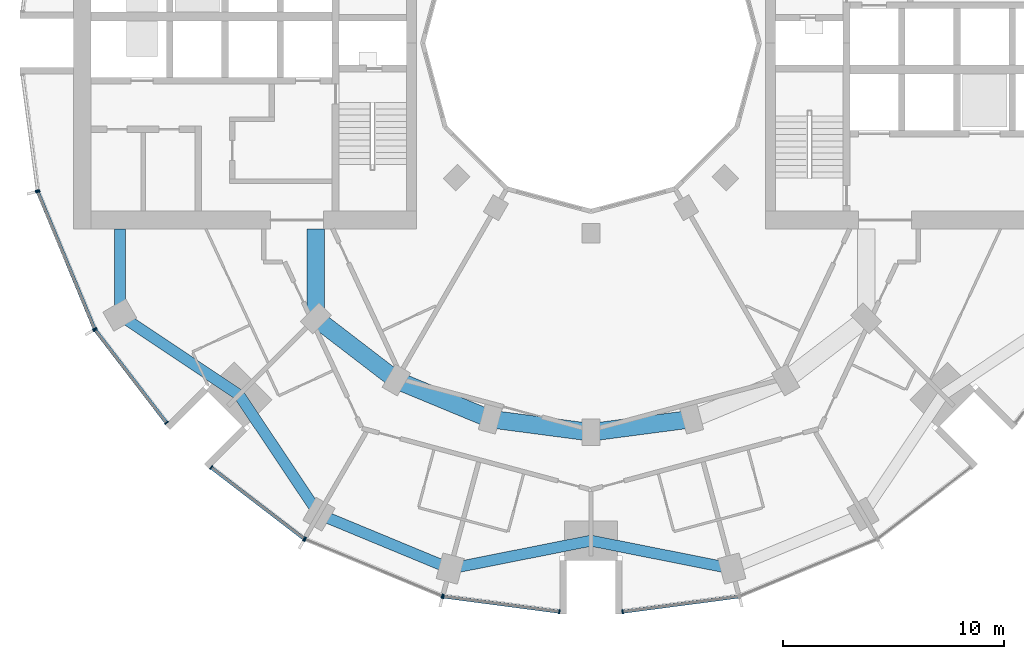
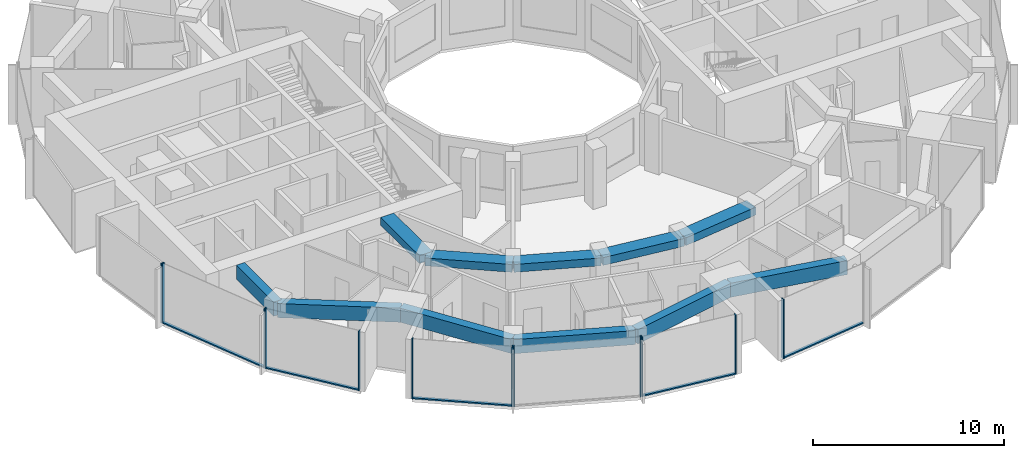
# One storey, part 2 of 15: 17 members, 11 beams, 7 elements without a shape of their own.
"""IFC4 building model written with IfcOpenShell, lengths in metres."""

from ifc_helpers import new_model, si_unit, direction, frame, origin, origin_2d, place, context, subcontext, project, spatial, rectangle, extrude, material, layer, layer_set, material_profile, profile_set, type_object, element, aggregate, save


model = new_model("IFC4")

# Units and contexts
model_context = context("Model", 3, precision=1e-05, world=origin(), true_north=direction((0.0, 1.0)))
body_context = subcontext(model_context, "Body", "Model", "MODEL_VIEW")
ifc_project = project(units=[si_unit("LENGTHUNIT", "METRE"), si_unit("AREAUNIT", "SQUARE_METRE"), si_unit("VOLUMEUNIT", "CUBIC_METRE"), si_unit("PLANEANGLEUNIT", "RADIAN"), si_unit("MASSUNIT", "GRAM", prefix="KILO")], contexts=[model_context])

# Site, building, storey
site_placement = place(None, origin())
site = spatial("IfcSite", under=ifc_project, at=site_placement, CompositionType="ELEMENT")
building_placement = place(site_placement, origin())
building = spatial("IfcBuilding", under=site, at=building_placement, Name="Torre Brocal", CompositionType="ELEMENT")
storey_placement = place(building_placement, frame((0.0, 0.0, 90.0)))
storey = spatial("IfcBuildingStorey", under=building, at=storey_placement, Name="L20", CompositionType="ELEMENT", Elevation=90.0)

# Curtain wall, members
ifc_material_1 = material(Name="Aluminium and glass", Category="aluminium")
ifc_layer_1 = layer(ifc_material_1, 0.199951171875)
ifc_layer_set_1 = layer_set([ifc_layer_1], Name="Aluminium and glass")
curtain_wall_type_1 = type_object("IfcCurtainWallType", Name="CW-1 CURTAIN WALL 3800 HIGH", PredefinedType="NOTDEFINED", material=ifc_layer_set_1)
curtain_wall_1_placement = place(storey_placement, origin())
curtain_wall_1 = element("IfcCurtainWall", 1, at=curtain_wall_1_placement, inside=storey, type_object=curtain_wall_type_1, Name="CW-1 RUN 14", PredefinedType="NOTDEFINED")
ifc_material_2 = material(Name="Aluminium, dark anodised", Category="aluminium")
ifc_material_profile_1 = material_profile(ifc_material_2, rectangle(XDim=0.199951171875, YDim=0.06005859375, at=origin_2d()), Name="CW-1 MULLION 60X200")
ifc_profile_set_1 = profile_set([ifc_material_profile_1], Name="Aluminium, dark anodised")
member_type_1 = type_object("IfcMemberType", Name="CW-1 MULLION 60X200", PredefinedType="MULLION", material=ifc_profile_set_1)
member_1_placement = place(storey_placement, frame((54.994873046875, 68.26904296875, 0.0), z_axis=(0.0, 0.0, 1.0), x_axis=(0.923879532525, 0.382683432333, 0.0)))
member_1 = element("IfcMember", 2, at=member_1_placement, type_object=member_type_1, Name="CW1-1 mullion 1", PredefinedType="MULLION", context=body_context, shape_type="SweptSolid", body=[
    extrude(rectangle(XDim=0.199951171875, YDim=0.06005859375, at=origin_2d()), origin(), (0.0, 0.0, 1.0), 3.800048828125),
])
member_2_placement = place(storey_placement, frame((57.559326171875, 62.078125, 0.0), z_axis=(0.0, 0.0, 1.0), x_axis=(0.923879532525, 0.382683432333, 0.0)))
member_2 = element("IfcMember", 3, at=member_2_placement, type_object=member_type_1, Name="CW1-1 mullion 2", PredefinedType="MULLION", context=body_context, shape_type="SweptSolid", body=[
    extrude(rectangle(XDim=0.199951171875, YDim=0.06005859375, at=origin_2d()), origin(), (0.0, 0.0, 1.0), 3.800048828125),
])

curtain_wall_2_placement = place(storey_placement, origin())
curtain_wall_2 = element("IfcCurtainWall", 4, at=curtain_wall_2_placement, inside=storey, type_object=curtain_wall_type_1, Name="CW-1 RUN 15", PredefinedType="NOTDEFINED")
member_3_placement = place(storey_placement, frame((57.5888671875, 62.026611328125, 0.0), z_axis=(0.0, 0.0, 1.0), x_axis=(0.793353340259, 0.60876142905, 0.0)))
member_3 = element("IfcMember", 5, at=member_3_placement, type_object=member_type_1, Name="CW1-1 mullion 1", PredefinedType="MULLION", context=body_context, shape_type="SweptSolid", body=[
    extrude(rectangle(XDim=0.199951171875, YDim=0.06005859375, at=origin_2d()), origin(), (0.0, 0.0, 1.0), 3.800048828125),
])
member_4_placement = place(storey_placement, frame((60.80859375, 57.83056640625, 0.0), z_axis=(0.0, 0.0, 1.0), x_axis=(0.793353340259, 0.60876142905, 0.0)))
member_4 = element("IfcMember", 6, at=member_4_placement, type_object=member_type_1, Name="CW1-1 mullion 2", PredefinedType="MULLION", context=body_context, shape_type="SweptSolid", body=[
    extrude(rectangle(XDim=0.199951171875, YDim=0.06005859375, at=origin_2d()), origin(), (0.0, 0.0, 1.0), 3.800048828125),
])

curtain_wall_3_placement = place(storey_placement, origin())
curtain_wall_3 = element("IfcCurtainWall", 7, at=curtain_wall_3_placement, inside=storey, type_object=curtain_wall_type_1, Name="CW-1 RUN 16", PredefinedType="NOTDEFINED")
member_5_placement = place(storey_placement, frame((62.83056640625, 55.80859375, 0.0), z_axis=(0.0, 0.0, 1.0), x_axis=(0.60876142905, 0.793353340259, 0.0)))
member_5 = element("IfcMember", 8, at=member_5_placement, type_object=member_type_1, Name="CW1-1 mullion 1", PredefinedType="MULLION", context=body_context, shape_type="SweptSolid", body=[
    extrude(rectangle(XDim=0.199951171875, YDim=0.06005859375, at=origin_2d()), origin(), (0.0, 0.0, 1.0), 3.800048828125),
])
member_6_placement = place(storey_placement, frame((67.026611328125, 52.5888671875, 0.0), z_axis=(0.0, 0.0, 1.0), x_axis=(0.60876142905, 0.793353340259, 0.0)))
member_6 = element("IfcMember", 9, at=member_6_placement, type_object=member_type_1, Name="CW1-1 mullion 2", PredefinedType="MULLION", context=body_context, shape_type="SweptSolid", body=[
    extrude(rectangle(XDim=0.199951171875, YDim=0.06005859375, at=origin_2d()), origin(), (0.0, 0.0, 1.0), 3.800048828125),
])

curtain_wall_4_placement = place(storey_placement, origin())
curtain_wall_4 = element("IfcCurtainWall", 10, at=curtain_wall_4_placement, inside=storey, type_object=curtain_wall_type_1, Name="CW-1 RUN 17", PredefinedType="NOTDEFINED")
member_7_placement = place(storey_placement, frame((67.078125, 52.559326171875, 0.0), z_axis=(0.0, 0.0, 1.0), x_axis=(0.382683432333, 0.923879532525, 0.0)))
member_7 = element("IfcMember", 11, at=member_7_placement, type_object=member_type_1, Name="CW1-1 mullion 1", PredefinedType="MULLION", context=body_context, shape_type="SweptSolid", body=[
    extrude(rectangle(XDim=0.199951171875, YDim=0.06005859375, at=origin_2d()), origin(), (0.0, 0.0, 1.0), 3.800048828125),
])
member_8_placement = place(storey_placement, frame((73.26904296875, 49.994873046875, 0.0), z_axis=(0.0, 0.0, 1.0), x_axis=(0.382683432333, 0.923879532525, 0.0)))
member_8 = element("IfcMember", 12, at=member_8_placement, type_object=member_type_1, Name="CW1-1 mullion 2", PredefinedType="MULLION", context=body_context, shape_type="SweptSolid", body=[
    extrude(rectangle(XDim=0.199951171875, YDim=0.06005859375, at=origin_2d()), origin(), (0.0, 0.0, 1.0), 3.800048828125),
])
aggregate(curtain_wall_4, [member_7, member_8])

curtain_wall_5_placement = place(storey_placement, origin())
curtain_wall_5 = element("IfcCurtainWall", 13, at=curtain_wall_5_placement, inside=storey, type_object=curtain_wall_type_1, Name="CW-1 RUN 18", PredefinedType="NOTDEFINED")
member_9_placement = place(storey_placement, frame((73.32666015625, 49.9794921875, 0.0), z_axis=(0.0, 0.0, 1.0), x_axis=(0.13052619222, 0.991444861374, 0.0)))
member_9 = element("IfcMember", 14, at=member_9_placement, type_object=member_type_1, Name="CW1-1 mullion 1", PredefinedType="MULLION", context=body_context, shape_type="SweptSolid", body=[
    extrude(rectangle(XDim=0.199951171875, YDim=0.06005859375, at=origin_2d()), origin(), (0.0, 0.0, 1.0), 3.800048828125),
])
member_10_placement = place(storey_placement, frame((78.5703125, 49.2890625, 0.0), z_axis=(0.0, 0.0, 1.0), x_axis=(0.13052619222, 0.991444861374, 0.0)))
member_10 = element("IfcMember", 15, at=member_10_placement, type_object=member_type_1, Name="CW1-1 mullion 2", PredefinedType="MULLION", context=body_context, shape_type="SweptSolid", body=[
    extrude(rectangle(XDim=0.199951171875, YDim=0.06005859375, at=origin_2d()), origin(), (0.0, 0.0, 1.0), 3.800048828125),
])

# Curtain wall, member
curtain_wall_6_placement = place(storey_placement, origin())
curtain_wall_6 = element("IfcCurtainWall", 16, at=curtain_wall_6_placement, inside=storey, type_object=curtain_wall_type_1, Name="CW-1 RUN 19", PredefinedType="NOTDEFINED")
member_11_placement = place(storey_placement, frame((81.4296875, 49.2890625, 0.0), z_axis=(0.0, 0.0, 1.0), x_axis=(-0.13052619222, 0.991444861374, 0.0)))
member_11 = element("IfcMember", 17, at=member_11_placement, type_object=member_type_1, Name="CW1-1 mullion 1", PredefinedType="MULLION", context=body_context, shape_type="SweptSolid", body=[
    extrude(rectangle(XDim=0.199951171875, YDim=0.06005859375, at=origin_2d()), origin(), (0.0, 0.0, 1.0), 3.800048828125),
])

# Member
ifc_material_3 = material(Name="Aluminium, dark anodised", Category="aluminium")
ifc_material_profile_2 = material_profile(ifc_material_3, rectangle(XDim=0.159912109375, YDim=0.080078125, at=origin_2d()), Name="CW-1 TRANSOM 160X80")
ifc_profile_set_2 = profile_set([ifc_material_profile_2], Name="Aluminium, dark anodised")
member_type_2 = type_object("IfcMemberType", Name="CW-1 TRANSOM 160X80", PredefinedType="USERDEFINED", material=ifc_profile_set_2)
member_12_placement = place(storey_placement, frame((55.00634765625, 68.241455078125, 0.0400390625), z_axis=(0.38266457234, -0.923887344364, 0.0), x_axis=(0.923887344364, 0.38266457234, 0.0)))
member_12 = element("IfcMember", 18, at=member_12_placement, type_object=member_type_2, Name="CW1-1 transom 1.1", ObjectType="TRANSOM", PredefinedType="USERDEFINED", context=body_context, shape_type="SweptSolid", body=[
    extrude(rectangle(XDim=0.159912109375, YDim=0.080078125, at=origin_2d()), origin(), (0.0, 0.0, 1.0), 6.640869140625),
])

aggregate(curtain_wall_1, [member_1, member_2, member_12])

member_13_placement = place(storey_placement, frame((57.607177734375, 62.0029296875, 0.0400390625), z_axis=(0.60874908096, -0.79336281513, 0.0), x_axis=(0.79336281513, 0.60874908096, 0.0)))
member_13 = element("IfcMember", 19, at=member_13_placement, type_object=member_type_2, Name="CW1-1 transom 1.1", ObjectType="TRANSOM", PredefinedType="USERDEFINED", context=body_context, shape_type="SweptSolid", body=[
    extrude(rectangle(XDim=0.159912109375, YDim=0.080078125, at=origin_2d()), origin(), (0.0, 0.0, 1.0), 5.22900390625),
])

aggregate(curtain_wall_2, [member_3, member_4, member_13])

member_14_placement = place(storey_placement, frame((62.8544921875, 55.790283203125, 0.0400390625), z_axis=(0.79336281513, -0.60874908096, 0.0), x_axis=(0.60874908096, 0.79336281513, 0.0)))
member_14 = element("IfcMember", 20, at=member_14_placement, type_object=member_type_2, Name="CW1-1 transom 1.1", ObjectType="TRANSOM", PredefinedType="USERDEFINED", context=body_context, shape_type="SweptSolid", body=[
    extrude(rectangle(XDim=0.159912109375, YDim=0.080078125, at=origin_2d()), origin(), (0.0, 0.0, 1.0), 5.22900390625),
])

aggregate(curtain_wall_3, [member_5, member_6, member_14])

member_15_placement = place(storey_placement, frame((73.356201171875, 49.9755859375, 0.0400390625), z_axis=(0.991442690863, -0.130542677827, 0.0), x_axis=(0.130542677827, 0.991442690863, 0.0)))
member_15 = element("IfcMember", 21, at=member_15_placement, type_object=member_type_2, Name="CW1-1 transom 1.1", ObjectType="TRANSOM", PredefinedType="USERDEFINED", context=body_context, shape_type="SweptSolid", body=[
    extrude(rectangle(XDim=0.159912109375, YDim=0.080078125, at=origin_2d()), origin(), (0.0, 0.0, 1.0), 5.22900390625),
])

aggregate(curtain_wall_5, [member_9, member_10, member_15])

member_16_placement = place(storey_placement, frame((81.45947265625, 49.29296875, 0.0400390625), z_axis=(0.991442690863, 0.130542677827, 0.0), x_axis=(-0.130542677827, 0.991442690863, 0.0)))
member_16 = element("IfcMember", 22, at=member_16_placement, type_object=member_type_2, Name="CW1-1 transom 1.1", ObjectType="TRANSOM", PredefinedType="USERDEFINED", context=body_context, shape_type="SweptSolid", body=[
    extrude(rectangle(XDim=0.159912109375, YDim=0.080078125, at=origin_2d()), origin(), (0.0, 0.0, 1.0), 5.22900390625),
])

aggregate(curtain_wall_6, [member_11, member_16])

# Curtain wall, member
ifc_material_4 = material(Name="Aluminium and glass", Category="aluminium")
ifc_layer_2 = layer(ifc_material_4, 0.199951171875)
ifc_layer_set_2 = layer_set([ifc_layer_2], Name="Aluminium and glass")
curtain_wall_type_2 = type_object("IfcCurtainWallType", Name="CW-1B CURTAIN WALL 3800 HIGH", PredefinedType="NOTDEFINED", material=ifc_layer_set_2)
curtain_wall_7_placement = place(storey_placement, origin())
curtain_wall_7 = element("IfcCurtainWall", 23, at=curtain_wall_7_placement, inside=storey, type_object=curtain_wall_type_2, Name="CW-1B RUN 13", PredefinedType="NOTDEFINED")
ifc_material_5 = material(Name="Aluminium, dark anodised", Category="aluminium")
ifc_material_profile_3 = material_profile(ifc_material_5, rectangle(XDim=0.199951171875, YDim=0.06005859375, at=origin_2d()), Name="CW-1B MULLION 60X200")
ifc_profile_set_3 = profile_set([ifc_material_profile_3], Name="Aluminium, dark anodised")
member_type_3 = type_object("IfcMemberType", Name="CW-1B MULLION 60X200", PredefinedType="MULLION", material=ifc_profile_set_3)
member_17_placement = place(storey_placement, frame((54.9794921875, 68.32666015625, 0.0), z_axis=(0.0, 0.0, 1.0), x_axis=(0.991444861374, 0.13052619222, 0.0)))
member_17 = element("IfcMember", 24, at=member_17_placement, type_object=member_type_3, Name="CW1B-1 mullion 2", PredefinedType="MULLION", context=body_context, shape_type="SweptSolid", body=[
    extrude(rectangle(XDim=0.199951171875, YDim=0.06005859375, at=origin_2d()), origin(), (0.0, 0.0, 1.0), 3.800048828125),
])
aggregate(curtain_wall_7, [member_17])

# Beams
ifc_material_6 = material(Name="Concrete C50", Category="concrete")
ifc_material_profile_4 = material_profile(ifc_material_6, rectangle(XDim=0.800048828125, YDim=0.5, at=origin_2d()), Name="RC 800X500")
ifc_profile_set_4 = profile_set([ifc_material_profile_4], Name="Concrete C50")
beam_type_1 = type_object("IfcBeamType", Name="RC BEAM 800X500 C50 TOP 3480", PredefinedType="BEAM", material=ifc_profile_set_4)
beam_1_placement = place(storey_placement, frame((67.554931640625, 62.554931640625, 3.22998046875), z_axis=(0.0, 1.0, 0.0), x_axis=(-1.0, 0.0, 0.0)))
element("IfcBeam", 25, at=beam_1_placement, inside=storey, type_object=beam_type_1, Name="Beam BT-19", PredefinedType="BEAM", context=body_context, shape_type="SweptSolid", body=[
    extrude(rectangle(XDim=0.800048828125, YDim=0.5, at=origin_2d()), origin(), (0.0, 0.0, 1.0), 4.045166015625),
])
beam_2_placement = place(storey_placement, frame((67.554931640625, 62.554931640625, 3.22998046875), z_axis=(0.793358265959, -0.6087550097, 0.0), x_axis=(0.6087550097, 0.793358265959, 0.0)))
element("IfcBeam", 26, at=beam_2_placement, inside=storey, type_object=beam_type_1, Name="Beam BT-19", PredefinedType="BEAM", context=body_context, shape_type="SweptSolid", body=[
    extrude(rectangle(XDim=0.800048828125, YDim=0.5, at=origin_2d()), origin(), (0.0, 0.0, 1.0), 4.594482421875),
])
beam_3_placement = place(storey_placement, frame((71.199951171875, 59.758056640625, 3.22998046875), z_axis=(0.923878240166, -0.382686552348, 0.0), x_axis=(0.382686552348, 0.923878240166, 0.0)))
element("IfcBeam", 27, at=beam_3_placement, inside=storey, type_object=beam_type_1, Name="Beam BT-19", PredefinedType="BEAM", context=body_context, shape_type="SweptSolid", body=[
    extrude(rectangle(XDim=0.800048828125, YDim=0.5, at=origin_2d()), origin(), (0.0, 0.0, 1.0), 4.5947265625),
])
for number, where, z_axis, x_axis, name in (
    (28, (75.44482421875, 57.999755859375, 3.22998046875), (0.991440544449, -0.130558978332, 0.0), (0.130558978332, 0.991440544449, 0.0), "Beam BT-19"),
    (29, (80.0, 57.39990234375, 3.22998046875), (0.991440544449, 0.130558978332, 0.0), (-0.130558978332, 0.991440544449, 0.0), "Beam BT-19"),
):
    element("IfcBeam", number, at=place(storey_placement, frame(where, z_axis=z_axis, x_axis=x_axis)), inside=storey, type_object=beam_type_1, Name=name, PredefinedType="BEAM", context=body_context, shape_type="SweptSolid", body=[
        extrude(rectangle(XDim=0.800048828125, YDim=0.5, at=origin_2d()), origin(), (0.0, 0.0, 1.0), 4.594482421875),
    ])
ifc_material_7 = material(Name="Concrete C50", Category="concrete")
ifc_material_profile_5 = material_profile(ifc_material_7, rectangle(XDim=0.5, YDim=0.89990234375, at=origin_2d()), Name="RC 500X900")
ifc_profile_set_5 = profile_set([ifc_material_profile_5], Name="Concrete C50")
beam_type_2 = type_object("IfcBeamType", Name="RC SPANDREL BEAM 500X900 C50 TOP 3480", PredefinedType="SPANDREL", material=ifc_profile_set_5)
beam_4_placement = place(storey_placement, frame((58.69580078125, 62.699951171875, 3.030029296875), z_axis=(0.0, 1.0, 0.0), x_axis=(-1.0, 0.0, 0.0)))
element("IfcBeam", 30, at=beam_4_placement, inside=storey, type_object=beam_type_2, Name="Beam BT-20", PredefinedType="SPANDREL", context=body_context, shape_type="SweptSolid", body=[
    extrude(rectangle(XDim=0.5, YDim=0.89990234375, at=origin_2d()), origin(), (0.0, 0.0, 1.0), 3.900146484375),
])
for number, where, z_axis, x_axis, name in (
    (31, (58.69580078125, 62.699951171875, 3.030029296875), (0.831076844476, -0.556157602282, 0.0), (0.556157602282, 0.831076844476, 0.0), "Beam BT-20"),
    (32, (64.090087890625, 59.090087890625, 3.030029296875), (0.556157602282, -0.831076844476, 0.0), (0.831076844476, 0.556157602282, 0.0), "Beam BT-20"),
):
    element("IfcBeam", number, at=place(storey_placement, frame(where, z_axis=z_axis, x_axis=x_axis)), inside=storey, type_object=beam_type_2, Name=name, PredefinedType="SPANDREL", context=body_context, shape_type="SweptSolid", body=[
        extrude(rectangle(XDim=0.5, YDim=0.89990234375, at=origin_2d()), origin(), (0.0, 0.0, 1.0), 6.49072265625),
    ])
beam_5_placement = place(storey_placement, frame((67.699951171875, 53.69580078125, 3.030029296875), z_axis=(0.923882462513, -0.382676358639, 0.0), x_axis=(0.382676358639, 0.923882462513, 0.0)))
element("IfcBeam", 33, at=beam_5_placement, inside=storey, type_object=beam_type_2, Name="Beam BT-20", PredefinedType="SPANDREL", context=body_context, shape_type="SweptSolid", body=[
    extrude(rectangle(XDim=0.5, YDim=0.89990234375, at=origin_2d()), origin(), (0.0, 0.0, 1.0), 6.421875),
])
for number, where, z_axis, x_axis, name in (
    (34, (73.633056640625, 51.23828125, 3.030029296875), (0.980924907484, 0.194387051723, 0.0), (-0.194387051723, 0.980924907484, 0.0), "Beam BT-20"),
    (35, (80.0, 52.5, 3.030029296875), (0.980924907484, -0.194387051723, 0.0), (0.194387051723, 0.980924907484, 0.0), "Beam BT-20"),
):
    element("IfcBeam", number, at=place(storey_placement, frame(where, z_axis=z_axis, x_axis=x_axis)), inside=storey, type_object=beam_type_2, Name=name, PredefinedType="SPANDREL", context=body_context, shape_type="SweptSolid", body=[
        extrude(rectangle(XDim=0.5, YDim=0.89990234375, at=origin_2d()), origin(), (0.0, 0.0, 1.0), 6.49072265625),
    ])

save(model, "model.ifc")
